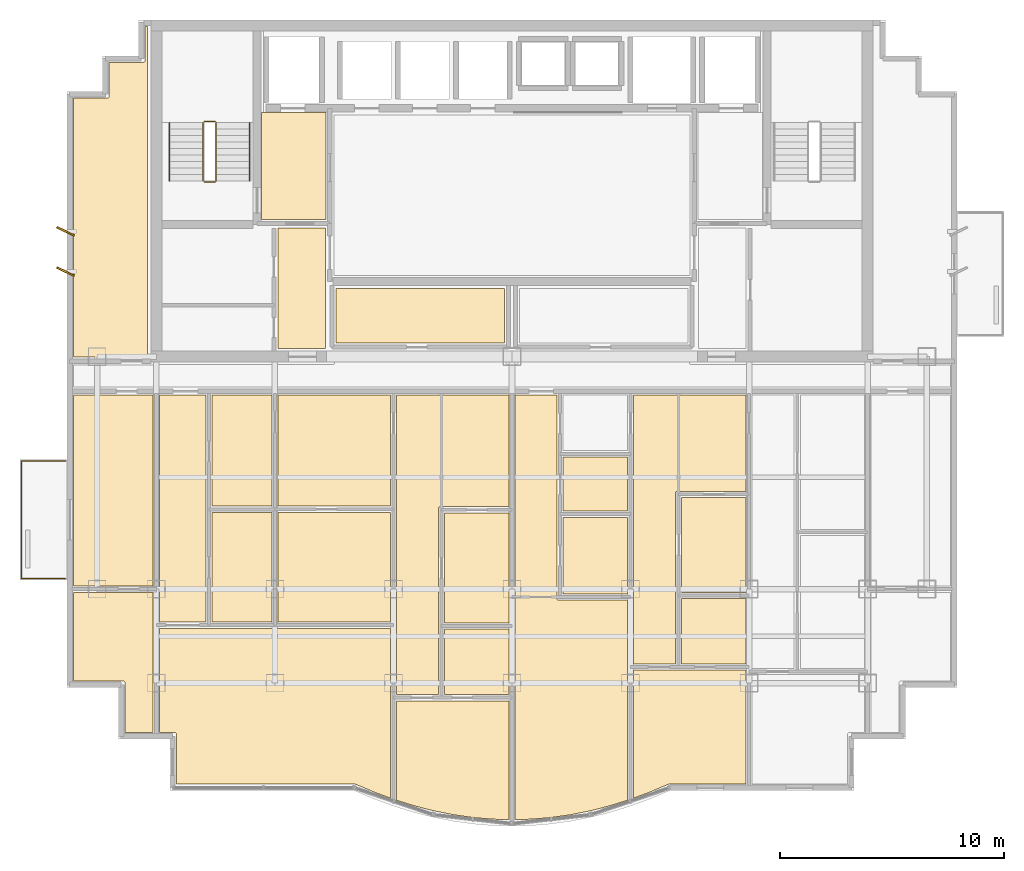
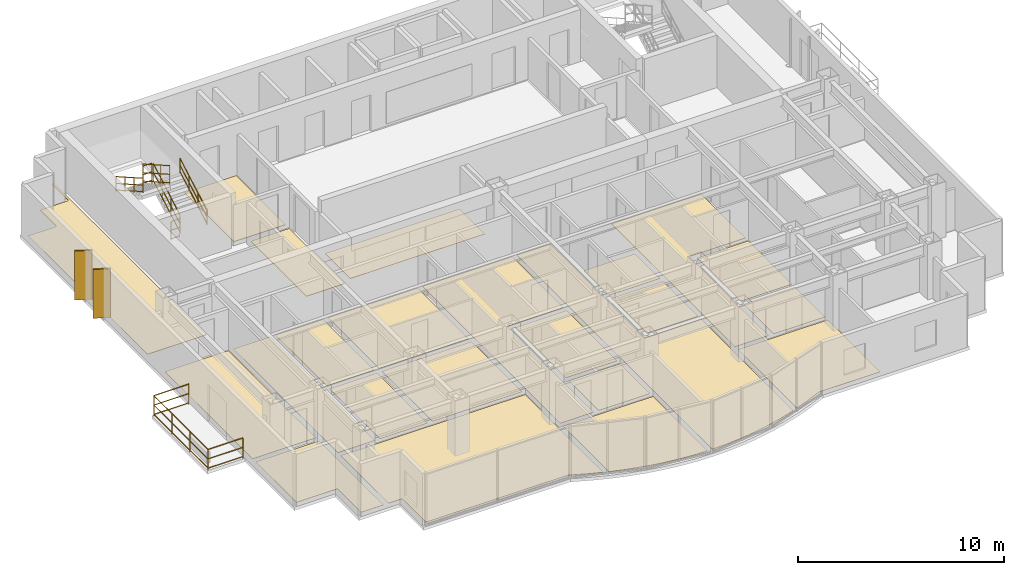
# One storey, part 8 of 9: 23 coverings, 7 railings, 2 shading devices.
"""IFC4 building model written with IfcOpenShell, lengths in metres."""

import ifcopenshell
import ifcopenshell.guid

model = None  # the IFC model being written
_history = None  # IfcOwnerHistory: only IFC2X3 demands one
_inside = {}  # id of a spatial element -> (the spatial element, [elements in it])
_under = {}  # id of a project, library or spatial element -> (it, [spatial elements below it])
_declared = {}  # id of a project -> (the project, [libraries it declares])
_typed = {}  # id of a type object -> (the type object, [elements of that type])
_made_of = {}  # id of a material, layer set ... -> (it, [elements and type objects made of it])


def new_model(schema):
    """Start an empty IFC model of exactly this schema.

    Asked for "IFC4X3", IfcOpenShell would pick the latest addendum, in which some entities
    have other attributes; the version numbers below select the first issue.
    IFC2X3 requires an IfcOwnerHistory on every rooted entity: one is made here for all.
    """
    global model, _history
    if schema == "IFC4X3":
        model = ifcopenshell.file(schema_version=(4, 3, 0, 0))
    else:
        model = ifcopenshell.file(schema=schema)
    _inside.clear()
    _under.clear()
    _declared.clear()
    _typed.clear()
    _made_of.clear()
    _history = None
    if model.schema == "IFC2X3":
        org = make("IfcOrganization", Name="unknown")
        user = make(
            "IfcPersonAndOrganization",
            ThePerson=make("IfcPerson", FamilyName="unknown"),
            TheOrganization=org,
        )
        app = make(
            "IfcApplication",
            ApplicationDeveloper=org,
            Version="unknown",
            ApplicationFullName="unknown",
            ApplicationIdentifier="unknown",
        )
        _history = make(
            "IfcOwnerHistory",
            OwningUser=user,
            OwningApplication=app,
            ChangeAction="ADDED",
            CreationDate=0,
        )
    return model


def make(cls, **values):
    """One entity of the class cls with the attributes given. An attribute that is None is left unset."""
    return model.create_entity(
        cls, **{name: value for name, value in values.items() if value is not None}
    )


def rooted(cls, **values):
    """An entity with a GlobalId (a new one), such as an element, a storey or a relation."""
    return make(cls, GlobalId=ifcopenshell.guid.new(), OwnerHistory=_history, **values)


def si_unit(unit_type, name, prefix=None):
    """IfcSIUnit, for example si_unit("LENGTHUNIT", "METRE", prefix="MILLI")."""
    return make("IfcSIUnit", UnitType=unit_type, Prefix=prefix, Name=name)


def assignment(units):
    """IfcUnitAssignment: the units of a project."""
    return None if units is None else make("IfcUnitAssignment", Units=units)


def point(xyz):
    """IfcCartesianPoint."""
    return None if xyz is None else make("IfcCartesianPoint", Coordinates=xyz)


def direction(xyz):
    """IfcDirection."""
    return None if xyz is None else make("IfcDirection", DirectionRatios=xyz)


def frame(location, z_axis=None, x_axis=None):
    """IfcAxis2Placement3D, a coordinate frame: its origin and axes. An axis left out is left unset."""
    return make(
        "IfcAxis2Placement3D",
        Location=point(location),
        Axis=direction(z_axis),
        RefDirection=direction(x_axis),
    )


def frame_2d(location, x_axis=None):
    """IfcAxis2Placement2D, a coordinate frame in the plane: its origin and x axis."""
    return make(
        "IfcAxis2Placement2D", Location=point(location), RefDirection=direction(x_axis)
    )


def origin():
    """The frame at (0, 0, 0) with its axes left unset."""
    return frame((0.0, 0.0, 0.0))


def origin_2d():
    """The frame at (0, 0) in the plane with its x axis left unset."""
    return frame_2d((0.0, 0.0))


def place(relative_to, where):
    """IfcLocalPlacement: puts the frame where relative to a parent placement (None: the world)."""
    return make(
        "IfcLocalPlacement", PlacementRelTo=relative_to, RelativePlacement=where
    )


def context(
    kind, dimensions, precision=None, world=None, true_north=None, identifier=None
):
    """IfcGeometricRepresentationContext, for example the 3D "Model" context."""
    return make(
        "IfcGeometricRepresentationContext",
        ContextIdentifier=identifier,
        ContextType=kind,
        CoordinateSpaceDimension=dimensions,
        Precision=precision,
        WorldCoordinateSystem=world,
        TrueNorth=true_north,
    )


def subcontext(parent, identifier, kind, view, scale=None):
    """IfcGeometricRepresentationSubContext, for example "Body" below "Model"."""
    return make(
        "IfcGeometricRepresentationSubContext",
        ContextIdentifier=identifier,
        ContextType=kind,
        ParentContext=parent,
        TargetScale=scale,
        TargetView=view,
    )


def project(units=None, contexts=None):
    """IfcProject with its units and contexts."""
    return rooted(
        "IfcProject",
        Name="project",
        RepresentationContexts=contexts,
        UnitsInContext=assignment(units),
    )


def spatial(cls, under=None, at=None, **own):
    """A site, building, storey or space (cls), placed at a placement, below another one or the project."""
    s = rooted(cls, ObjectPlacement=at, **own)
    if under is not None:
        _under.setdefault(under.id(), (under, []))[1].append(s)
    return s


def polyline(points):
    """IfcPolyline through the points."""
    return make("IfcPolyline", Points=[point(p) for p in points])


def profile(cls, at=None, kind="AREA", **sizes):
    """A parametric profile (cls). Its sizes go by their IFC names, for example OverallWidth=200.0."""
    return make(cls, ProfileType=kind, Position=at, **sizes)


def rectangle(**sizes):
    """IfcRectangleProfileDef."""
    return profile("IfcRectangleProfileDef", **sizes)


def circle(**sizes):
    """IfcCircleProfileDef."""
    return profile("IfcCircleProfileDef", **sizes)


def outline(outer, holes=None, kind="AREA"):
    """IfcArbitraryClosedProfileDef: a profile drawn as a closed curve; with holes, ...WithVoids."""
    if holes is None:
        return make("IfcArbitraryClosedProfileDef", ProfileType=kind, OuterCurve=outer)
    return make(
        "IfcArbitraryProfileDefWithVoids",
        ProfileType=kind,
        OuterCurve=outer,
        InnerCurves=holes,
    )


def extrude(swept, where, along, depth):
    """IfcExtrudedAreaSolid: the profile swept, set in the frame where, extruded along a direction by depth."""
    return make(
        "IfcExtrudedAreaSolid",
        SweptArea=swept,
        Position=where,
        ExtrudedDirection=direction(along),
        Depth=depth,
    )


def shape(context_of_items, identifier, shape_type, items):
    """IfcShapeRepresentation: the items that make up one representation, for example the "Body"."""
    return make(
        "IfcShapeRepresentation",
        ContextOfItems=context_of_items,
        RepresentationIdentifier=identifier,
        RepresentationType=shape_type,
        Items=items,
    )


def source(mapping_origin, context_of_items, identifier, shape_type, items):
    """IfcRepresentationMap: a shape defined once, which mapped items show again and again."""
    return make(
        "IfcRepresentationMap",
        MappingOrigin=mapping_origin,
        MappedRepresentation=shape(context_of_items, identifier, shape_type, items),
    )


def transform(
    local_origin,
    x_axis=None,
    y_axis=None,
    z_axis=None,
    scale=None,
    scale2=None,
    scale3=None,
    uniform=True,
):
    """IfcCartesianTransformationOperator3D, or its non-uniform kind. x_axis, y_axis, z_axis: its Axis1, 2, 3."""
    if uniform:
        return make(
            "IfcCartesianTransformationOperator3D",
            Axis1=direction(x_axis),
            Axis2=direction(y_axis),
            LocalOrigin=point(local_origin),
            Scale=scale,
            Axis3=direction(z_axis),
        )
    return make(
        "IfcCartesianTransformationOperator3DnonUniform",
        Axis1=direction(x_axis),
        Axis2=direction(y_axis),
        LocalOrigin=point(local_origin),
        Scale=scale,
        Axis3=direction(z_axis),
        Scale2=scale2,
        Scale3=scale3,
    )


def mapped(mapping_source, mapping_target):
    """IfcMappedItem: shows the shape of a source again, moved by a transform."""
    return make(
        "IfcMappedItem", MappingSource=mapping_source, MappingTarget=mapping_target
    )


def material(Name=None, Category=None):
    """IfcMaterial."""
    return make("IfcMaterial", Name=Name, Category=Category)


def layer(
    of_material, thickness, ventilated=None, Name=None, Category=None, Priority=None
):
    """IfcMaterialLayer: one layer of a wall or slab, of a material (None: an air gap)."""
    return make(
        "IfcMaterialLayer",
        Material=of_material,
        LayerThickness=thickness,
        IsVentilated=ventilated,
        Name=Name,
        Category=Category,
        Priority=Priority,
    )


def layer_set(layers, Name=None):
    """IfcMaterialLayerSet."""
    return make("IfcMaterialLayerSet", MaterialLayers=layers, LayerSetName=Name)


def made_of(thing, what):
    """Note that an element or type object is made of a material, layer set ...; save() writes the relation."""
    if what is not None:
        _made_of.setdefault(what.id(), (what, []))[1].append(thing)
    return thing


def type_object(cls, material=None, **own):
    """A type object (cls), such as IfcWallType, which elements share."""
    return made_of(rooted(cls, **own), material)


def element(
    cls,
    number,
    at=None,
    inside=None,
    cuts=None,
    type_object=None,
    material=None,
    context=None,
    identifier="Body",
    shape_type=None,
    held_by="IfcProductDefinitionShape",
    body=None,
    shapes=None,
    **own,
):
    """One element of the class cls, such as IfcWall. Its Tag is "e" and its number.

    at: its placement. inside: the storey or other place that contains it. cuts: it is an
    opening in that element (IfcRelVoidsElement). A single representation is given by context,
    identifier, shape_type and body (its items); several are given by shapes. held_by: the class
    of the entity that holds the representations. save() writes the other relations.
    """
    e = rooted(cls, Tag="e%d" % number, ObjectPlacement=at, **own)
    if body is not None:
        shapes = [shape(context, identifier, shape_type, body)]
    if shapes is not None:
        e.Representation = make(held_by, Representations=shapes)
    if inside is not None:
        _inside.setdefault(inside.id(), (inside, []))[1].append(e)
    if cuts is not None:
        rooted(
            "IfcRelVoidsElement", RelatingBuildingElement=cuts, RelatedOpeningElement=e
        )
    if type_object is not None:
        _typed.setdefault(type_object.id(), (type_object, []))[1].append(e)
    return made_of(e, material)


def aggregate(whole, parts):
    """IfcRelAggregates: a whole, such as a stair, and the parts it consists of."""
    return rooted("IfcRelAggregates", RelatingObject=whole, RelatedObjects=parts)


def save(model, path):
    """Write the relations noted so far, then the file.

    IfcRelAggregates (storeys below a building ...), IfcRelContainedInSpatialStructure (elements
    in a storey), IfcRelDefinesByType, IfcRelAssociatesMaterial and IfcRelDeclares: one each for
    every whole, place, type object, material and project.
    """
    for whole, parts in _under.values():
        aggregate(whole, parts)
    for where, things in _inside.values():
        rooted(
            "IfcRelContainedInSpatialStructure",
            RelatedElements=things,
            RelatingStructure=where,
        )
    for kind, things in _typed.values():
        rooted("IfcRelDefinesByType", RelatedObjects=things, RelatingType=kind)
    for what, things in _made_of.values():
        rooted("IfcRelAssociatesMaterial", RelatedObjects=things, RelatingMaterial=what)
    for by, libraries in _declared.values():
        rooted("IfcRelDeclares", RelatingContext=by, RelatedDefinitions=libraries)
    model.write(path)


model = new_model("IFC4")

# Units and contexts
model_context = context("Model", 3, precision=1e-05, world=origin(), true_north=direction((0.0, 1.0)))
body_context = subcontext(model_context, "Body", "Model", "MODEL_VIEW")
ifc_project = project(units=[si_unit("LENGTHUNIT", "METRE"), si_unit("AREAUNIT", "SQUARE_METRE"), si_unit("VOLUMEUNIT", "CUBIC_METRE"), si_unit("PLANEANGLEUNIT", "RADIAN"), si_unit("MASSUNIT", "GRAM", prefix="KILO")], contexts=[model_context])

# Site, building, storey
site_placement = place(None, origin())
site = spatial("IfcSite", under=ifc_project, at=site_placement, CompositionType="ELEMENT")
building_placement = place(site_placement, origin())
building = spatial("IfcBuilding", under=site, at=building_placement, Name="Qianlan Lanfeng Residences", CompositionType="ELEMENT")
storey_placement = place(building_placement, frame((0.0, 0.0, 209.89990234375)))
storey = spatial("IfcBuildingStorey", under=building, at=storey_placement, Name="L57", CompositionType="ELEMENT", Elevation=209.89990234375)

# Coverings
ifc_material_1 = material(Name="Honed Taitung Granite Stone Flooring", Category="masonry")
ifc_layer_1 = layer(ifc_material_1, 0.030029296875)
ifc_layer_set_1 = layer_set([ifc_layer_1], Name="Honed Taitung Granite Stone Flooring")
covering_type_1 = type_object("IfcCoveringType", Name="FLR-STN-30", PredefinedType="FLOORING", material=ifc_layer_set_1)
covering_1_placement = place(storey_placement, origin())
element("IfcCovering", 1, at=covering_1_placement, inside=storey, type_object=covering_type_1, Name="L57 Firefighting Lift Lobby Floor Finish", PredefinedType="FLOORING", context=body_context, shape_type="SweptSolid", body=[
    extrude(outline(polyline([(15.2900390625, 31.320068359375), (18.179931640625, 31.320068359375), (18.179931640625, 36.110107421875), (15.2900390625, 36.110107421875), (15.2900390625, 31.320068359375)])), origin(), (0.0, 0.0, 1.0), 0.030029296875),
])
covering_2_placement = place(storey_placement, origin())
element("IfcCovering", 2, at=covering_2_placement, inside=storey, type_object=covering_type_1, Name="L57 Lift Lobby Floor Finish", PredefinedType="FLOORING", context=body_context, shape_type="SweptSolid", body=[
    extrude(outline(polyline([(16.030029296875, 25.56005859375), (18.169921875, 25.56005859375), (18.169921875, 30.949951171875), (16.030029296875, 30.949951171875), (16.030029296875, 25.56005859375)])), origin(), (0.0, 0.0, 1.0), 0.030029296875),
])
ifc_material_2 = material(Name="Slip-Resistant Porcelain Tile Flooring")
ifc_layer_2 = layer(ifc_material_2, 0.02001953125)
ifc_layer_set_2 = layer_set([ifc_layer_2], Name="Slip-Resistant Porcelain Tile Flooring")
covering_type_2 = type_object("IfcCoveringType", Name="FLR-TIL-20", PredefinedType="FLOORING", material=ifc_layer_set_2)
covering_3_placement = place(storey_placement, origin())
element("IfcCovering", 3, at=covering_3_placement, inside=storey, type_object=covering_type_2, Name="L57 Kitchen Floor Finish", PredefinedType="FLOORING", context=body_context, shape_type="SweptSolid", body=[
    extrude(outline(polyline([(13.090087890625, 13.330078125), (15.760009765625, 13.330078125), (15.760009765625, 18.22998046875), (13.090087890625, 18.22998046875), (13.090087890625, 13.330078125)])), origin(), (0.0, 0.0, 1.0), 0.02001953125),
])
covering_4_placement = place(storey_placement, origin())
element("IfcCovering", 4, at=covering_4_placement, inside=storey, type_object=covering_type_2, Name="L57 Bathroom Floor Finish", PredefinedType="FLOORING", context=body_context, shape_type="SweptSolid", body=[
    extrude(outline(polyline([(13.090087890625, 18.510009765625), (15.760009765625, 18.510009765625), (15.760009765625, 23.47998046875), (13.090087890625, 23.47998046875), (13.090087890625, 18.510009765625)])), origin(), (0.0, 0.0, 1.0), 0.02001953125),
])
covering_5_placement = place(storey_placement, origin())
element("IfcCovering", 5, at=covering_5_placement, inside=storey, type_object=covering_type_2, Name="L57 En-Suite Bathroom Floor Finish", PredefinedType="FLOORING", context=body_context, shape_type="SweptSolid", body=[
    extrude(outline(polyline([(23.489990234375, 10.087890625), (26.3701171875, 10.087890625), (26.3701171875, 13.008056640625), (23.489990234375, 13.008056640625), (23.489990234375, 10.087890625)])), origin(), (0.0, 0.0, 1.0), 0.02001953125),
])
covering_6_placement = place(storey_placement, origin())
element("IfcCovering", 6, at=covering_6_placement, inside=storey, type_object=covering_type_2, Name="L57 Kitchen Floor Finish", PredefinedType="FLOORING", context=body_context, shape_type="SweptSolid", body=[
    extrude(outline(polyline([(28.7900390625, 18.2900390625), (31.659912109375, 18.2900390625), (31.659912109375, 20.7099609375), (28.7900390625, 20.7099609375), (28.7900390625, 18.2900390625)])), origin(), (0.0, 0.0, 1.0), 0.02001953125),
])
covering_7_placement = place(storey_placement, origin())
element("IfcCovering", 7, at=covering_7_placement, inside=storey, type_object=covering_type_2, Name="L57 En-Suite Bathroom Floor Finish", PredefinedType="FLOORING", context=body_context, shape_type="SweptSolid", body=[
    extrude(outline(polyline([(34.090087890625, 11.4599609375), (36.969970703125, 11.4599609375), (36.969970703125, 14.3798828125), (34.090087890625, 14.3798828125), (34.090087890625, 11.4599609375)])), origin(), (0.0, 0.0, 1.0), 0.02001953125),
])
ifc_material_3 = material(Name="Engineered Smoked Oak Timber Flooring", Category="wood")
ifc_layer_3 = layer(ifc_material_3, 0.02197265625)
ifc_layer_set_3 = layer_set([ifc_layer_3], Name="Engineered Smoked Oak Timber Flooring")
covering_type_3 = type_object("IfcCoveringType", Name="FLR-TIM-22", PredefinedType="FLOORING", material=ifc_layer_set_3)
covering_8_placement = place(storey_placement, origin())
element("IfcCovering", 8, at=covering_8_placement, inside=storey, type_object=covering_type_3, Name="L57 Gallery Salon Floor Finish", PredefinedType="FLOORING", context=body_context, shape_type="SweptSolid", body=[
    extrude(outline(polyline([(18.6298828125, 25.800048828125), (26.169921875, 25.800048828125), (26.169921875, 28.2548828125), (18.6298828125, 28.2548828125), (18.6298828125, 25.800048828125)])), origin(), (0.0, 0.0, 1.0), 0.022216796875),
])
covering_9_placement = place(storey_placement, origin())
element("IfcCovering", 9, at=covering_9_placement, inside=storey, type_object=covering_type_3, Name="L57 Living and Dining Room Floor Finish", PredefinedType="FLOORING", context=body_context, shape_type="SweptSolid", body=[
    extrude(outline(polyline([(10.72998046875, 13.050048828125), (10.72998046875, 8.389892578125), (11.419921875, 8.389892578125), (11.427001953125, 8.389892578125), (11.43408203125, 8.388916015625), (11.43994140625, 8.386962890625), (11.447021484375, 8.385009765625), (11.452880859375, 8.382080078125), (11.458984375, 8.3779296875), (11.464111328125, 8.3740234375), (11.468994140625, 8.368896484375), (11.47412109375, 8.364013671875), (11.47802734375, 8.35888671875), (11.48193359375, 8.35302734375), (11.485107421875, 8.346923828125), (11.487060546875, 8.340087890625), (11.489013671875, 8.333984375), (11.489990234375, 8.326904296875), (11.489990234375, 8.320068359375), (11.489990234375, 6.090087890625), (19.465087890625, 6.090087890625), (19.471923828125, 6.090087890625), (19.47900390625, 6.089111328125), (19.485107421875, 6.0869140625), (19.491943359375, 6.083984375), (20.412109375, 5.695068359375), (21.070068359375, 5.452880859375), (21.070068359375, 13.050048828125), (10.72998046875, 13.050048828125)])), origin(), (0.0, 0.0, 1.0), 0.022216796875),
])
covering_10_placement = place(storey_placement, origin())
element("IfcCovering", 10, at=covering_10_placement, inside=storey, type_object=covering_type_3, Name="L57 Family Sitting Room Floor Finish", PredefinedType="FLOORING", context=body_context, shape_type="SweptSolid", body=[
    extrude(outline(polyline([(10.72998046875, 13.330078125), (12.81005859375, 13.330078125), (12.81005859375, 23.47998046875), (10.72998046875, 23.47998046875), (10.72998046875, 13.330078125)])), origin(), (0.0, 0.0, 1.0), 0.022216796875),
])
covering_11_placement = place(storey_placement, origin())
element("IfcCovering", 11, at=covering_11_placement, inside=storey, type_object=covering_type_3, Name="L57 Yoga Studio Floor Finish", PredefinedType="FLOORING", context=body_context, shape_type="SweptSolid", body=[
    extrude(outline(polyline([(16.0400390625, 13.330078125), (21.06005859375, 13.330078125), (21.06005859375, 18.22998046875), (16.0400390625, 18.22998046875), (16.0400390625, 13.330078125)])), origin(), (0.0, 0.0, 1.0), 0.022216796875),
])
covering_12_placement = place(storey_placement, origin())
element("IfcCovering", 12, at=covering_12_placement, inside=storey, type_object=covering_type_3, Name="L57 Home Office Floor Finish", PredefinedType="FLOORING", context=body_context, shape_type="SweptSolid", body=[
    extrude(outline(polyline([(16.0400390625, 18.510009765625), (21.06005859375, 18.510009765625), (21.06005859375, 23.47998046875), (16.0400390625, 23.47998046875), (16.0400390625, 18.510009765625)])), origin(), (0.0, 0.0, 1.0), 0.022216796875),
])
covering_13_placement = place(storey_placement, origin())
element("IfcCovering", 13, at=covering_13_placement, inside=storey, type_object=covering_type_3, Name="L57 Private Study Floor Finish", PredefinedType="FLOORING", context=body_context, shape_type="SweptSolid", body=[
    extrude(outline(polyline([(23.489990234375, 13.2880859375), (26.3701171875, 13.2880859375), (26.3701171875, 18.208984375), (23.489990234375, 18.208984375), (23.489990234375, 13.2880859375)])), origin(), (0.0, 0.0, 1.0), 0.022216796875),
])
covering_14_placement = place(storey_placement, origin())
element("IfcCovering", 14, at=covering_14_placement, inside=storey, type_object=covering_type_3, Name="L57 Villa Family Sitting Room Floor Finish", PredefinedType="FLOORING", context=body_context, shape_type="SweptSolid", body=[
    extrude(outline(polyline([(21.330078125, 10.087890625), (23.2099609375, 10.087890625), (23.2099609375, 18.4189453125), (23.2099609375, 18.426025390625), (23.2109375, 18.43310546875), (23.212890625, 18.43896484375), (23.215087890625, 18.446044921875), (23.218017578125, 18.451904296875), (23.221923828125, 18.4580078125), (23.22607421875, 18.462890625), (23.23095703125, 18.468017578125), (23.236083984375, 18.472900390625), (23.240966796875, 18.47705078125), (23.2470703125, 18.48095703125), (23.2529296875, 18.48388671875), (23.260009765625, 18.486083984375), (23.26611328125, 18.488037109375), (23.27294921875, 18.489013671875), (23.280029296875, 18.489013671875), (26.3701171875, 18.489013671875), (26.3701171875, 23.47998046875), (21.330078125, 23.47998046875), (21.330078125, 10.087890625)])), origin(), (0.0, 0.0, 1.0), 0.022216796875),
])
covering_15_placement = place(storey_placement, origin())
element("IfcCovering", 15, at=covering_15_placement, inside=storey, type_object=covering_type_3, Name="L57 Master Bedroom Floor Finish", PredefinedType="FLOORING", context=body_context, shape_type="SweptSolid", body=[
    extrude(outline(polyline([(21.330078125, 9.80810546875), (21.3310546875, 5.360107421875), (22.154052734375, 5.10400390625), (23.02392578125, 4.883056640625), (23.89306640625, 4.7109375), (24.762939453125, 4.587890625), (25.631103515625, 4.514892578125), (26.3701171875, 4.493896484375), (26.3701171875, 9.80810546875), (21.330078125, 9.80810546875)])), origin(), (0.0, 0.0, 1.0), 0.022216796875),
])
covering_16_placement = place(storey_placement, origin())
element("IfcCovering", 16, at=covering_16_placement, inside=storey, type_object=covering_type_3, Name="L57 Living and Dining Room Floor Finish", PredefinedType="FLOORING", context=body_context, shape_type="SweptSolid", body=[
    extrude(outline(polyline([(31.669921875, 5.360107421875), (31.669921875, 14.30810546875), (28.580078125, 14.30810546875), (28.572998046875, 14.30810546875), (28.56591796875, 14.30908203125), (28.56005859375, 14.31103515625), (28.552978515625, 14.31298828125), (28.547119140625, 14.31591796875), (28.541015625, 14.320068359375), (28.535888671875, 14.323974609375), (28.531005859375, 14.3291015625), (28.52587890625, 14.333984375), (28.52197265625, 14.339111328125), (28.51806640625, 14.344970703125), (28.514892578125, 14.35107421875), (28.512939453125, 14.35791015625), (28.510986328125, 14.364013671875), (28.510009765625, 14.37109375), (28.510009765625, 14.3779296875), (28.510009765625, 23.47998046875), (26.6298828125, 23.47998046875), (26.6298828125, 4.493896484375), (27.368896484375, 4.514892578125), (28.237060546875, 4.587890625), (29.10693359375, 4.7109375), (29.97607421875, 4.883056640625), (30.845947265625, 5.10400390625), (31.669921875, 5.360107421875)])), origin(), (0.0, 0.0, 1.0), 0.022216796875),
])
covering_17_placement = place(storey_placement, origin())
element("IfcCovering", 17, at=covering_17_placement, inside=storey, type_object=covering_type_3, Name="L57 Private Study Floor Finish", PredefinedType="FLOORING", context=body_context, shape_type="SweptSolid", body=[
    extrude(outline(polyline([(28.7900390625, 18.010009765625), (28.7900390625, 14.587890625), (31.669921875, 14.587890625), (31.669921875, 18.010009765625), (28.7900390625, 18.010009765625)])), origin(), (0.0, 0.0, 1.0), 0.022216796875),
])
covering_18_placement = place(storey_placement, origin())
element("IfcCovering", 18, at=covering_18_placement, inside=storey, type_object=covering_type_3, Name="L57 Private Study Floor Finish", PredefinedType="FLOORING", context=body_context, shape_type="SweptSolid", body=[
    extrude(outline(polyline([(34.090087890625, 14.659912109375), (36.969970703125, 14.659912109375), (36.969970703125, 18.89501953125), (34.090087890625, 18.89501953125), (34.090087890625, 14.659912109375)])), origin(), (0.0, 0.0, 1.0), 0.022216796875),
])
covering_19_placement = place(storey_placement, origin())
element("IfcCovering", 19, at=covering_19_placement, inside=storey, type_object=covering_type_3, Name="L57 Villa Family Sitting Room Floor Finish", PredefinedType="FLOORING", context=body_context, shape_type="SweptSolid", body=[
    extrude(outline(polyline([(31.929931640625, 11.4599609375), (33.81005859375, 11.4599609375), (33.81005859375, 19.10498046875), (33.81005859375, 19.112060546875), (33.81103515625, 19.118896484375), (33.81298828125, 19.125), (33.81494140625, 19.132080078125), (33.818115234375, 19.137939453125), (33.822021484375, 19.14404296875), (33.825927734375, 19.14892578125), (33.8310546875, 19.154052734375), (33.8359375, 19.158935546875), (33.841064453125, 19.1630859375), (33.846923828125, 19.1669921875), (33.85302734375, 19.169921875), (33.860107421875, 19.172119140625), (33.865966796875, 19.174072265625), (33.873046875, 19.175048828125), (33.8798828125, 19.175048828125), (36.969970703125, 19.175048828125), (36.969970703125, 23.47998046875), (31.929931640625, 23.47998046875), (31.929931640625, 11.4599609375)])), origin(), (0.0, 0.0, 1.0), 0.022216796875),
])
covering_20_placement = place(storey_placement, origin())
element("IfcCovering", 20, at=covering_20_placement, inside=storey, type_object=covering_type_3, Name="L57 Master Bedroom Floor Finish", PredefinedType="FLOORING", context=body_context, shape_type="SweptSolid", body=[
    extrude(outline(polyline([(31.929931640625, 11.179931640625), (31.929931640625, 5.452880859375), (32.587890625, 5.695068359375), (33.508056640625, 6.083984375), (33.514892578125, 6.0869140625), (33.52099609375, 6.089111328125), (33.528076171875, 6.090087890625), (33.534912109375, 6.090087890625), (36.969970703125, 6.090087890625), (36.969970703125, 11.179931640625), (31.929931640625, 11.179931640625)])), origin(), (0.0, 0.0, 1.0), 0.022216796875),
])
covering_21_placement = place(storey_placement, origin())
element("IfcCovering", 21, at=covering_21_placement, inside=storey, type_object=covering_type_3, Name="L57 Sunroom Floor Finish", PredefinedType="FLOORING", context=body_context, shape_type="SweptSolid", body=[
    extrude(outline(polyline([(10.43994140625, 14.64990234375), (6.889892578125, 14.64990234375), (6.889892578125, 10.68994140625), (9.1201171875, 10.68994140625), (9.126953125, 10.68994140625), (9.134033203125, 10.68896484375), (9.139892578125, 10.68701171875), (9.14697265625, 10.68505859375), (9.153076171875, 10.681884765625), (9.158935546875, 10.677978515625), (9.1640625, 10.674072265625), (9.1689453125, 10.6689453125), (9.174072265625, 10.6640625), (9.177978515625, 10.658935546875), (9.181884765625, 10.653076171875), (9.18505859375, 10.64697265625), (9.18701171875, 10.639892578125), (9.18896484375, 10.634033203125), (9.18994140625, 10.626953125), (9.18994140625, 10.6201171875), (9.18994140625, 8.389892578125), (10.43994140625, 8.389892578125), (10.43994140625, 14.64990234375)])), origin(), (0.0, 0.0, 1.0), 0.022216796875),
])
covering_22_placement = place(storey_placement, origin())
element("IfcCovering", 22, at=covering_22_placement, inside=storey, type_object=covering_type_3, Name="L57 Family Sitting Room Floor Finish", PredefinedType="FLOORING", context=body_context, shape_type="SweptSolid", body=[
    extrude(outline(polyline([(10.43994140625, 23.47998046875), (6.889892578125, 23.47998046875), (6.889892578125, 14.949951171875), (10.43994140625, 14.949951171875), (10.43994140625, 23.47998046875)])), origin(), (0.0, 0.0, 1.0), 0.022216796875),
])
covering_23_placement = place(storey_placement, origin())
element("IfcCovering", 23, at=covering_23_placement, inside=storey, type_object=covering_type_3, Name="L57 Yoga Studio Floor Finish", PredefinedType="FLOORING", context=body_context, shape_type="SweptSolid", body=[
    extrude(outline(polyline([(10.199951171875, 25.169921875), (10.199951171875, 39.9599609375), (10.090087890625, 39.9599609375), (10.090087890625, 38.429931640625), (10.090087890625, 38.423095703125), (10.089111328125, 38.416015625), (10.0869140625, 38.409912109375), (10.0849609375, 38.403076171875), (10.08203125, 38.39697265625), (10.077880859375, 38.39111328125), (10.073974609375, 38.385986328125), (10.069091796875, 38.381103515625), (10.06396484375, 38.3759765625), (10.05908203125, 38.3720703125), (10.052978515625, 38.367919921875), (10.047119140625, 38.364990234375), (10.0400390625, 38.363037109375), (10.033935546875, 38.361083984375), (10.027099609375, 38.360107421875), (10.02001953125, 38.360107421875), (8.489990234375, 38.360107421875), (8.489990234375, 36.830078125), (8.489990234375, 36.822998046875), (8.489013671875, 36.81591796875), (8.487060546875, 36.81005859375), (8.485107421875, 36.802978515625), (8.48193359375, 36.797119140625), (8.47802734375, 36.791015625), (8.47412109375, 36.785888671875), (8.468994140625, 36.781005859375), (8.464111328125, 36.77587890625), (8.458984375, 36.77197265625), (8.452880859375, 36.76806640625), (8.447021484375, 36.764892578125), (8.43994140625, 36.762939453125), (8.43408203125, 36.760986328125), (8.427001953125, 36.760009765625), (8.419921875, 36.760009765625), (6.889892578125, 36.760009765625), (6.889892578125, 25.169921875), (10.199951171875, 25.169921875)])), origin(), (0.0, 0.0, 1.0), 0.022216796875),
])

# Railings
ifc_material_4 = material(Name="Anodised Bronze Aluminium and Laminated Glass Guard Balustrade", Category="aluminium")
railing_type_1 = type_object("IfcRailingType", Name="GR-EXT-1220", PredefinedType="BALUSTRADE", material=ifc_material_4)
railing_1_placement = place(storey_placement, frame((6.530029296875, 15.27001953125, 0.0)))
element("IfcRailing", 24, at=railing_1_placement, inside=storey, type_object=railing_type_1, Name="L57 Terrace Safety Guard GR-L57-WB-S", PredefinedType="BALUSTRADE", context=body_context, shape_type="SweptSolid", body=[
    extrude(circle(Radius=0.02490234375, at=origin_2d()), frame((0.0, 0.0, 0.0849609375), z_axis=(-1.0, 0.0, 0.0), x_axis=(0.0, -1.0, 0.0)), (0.0, 0.0, 1.0), 1.9599609375),
    extrude(circle(Radius=0.02490234375, at=origin_2d()), frame((0.0, 0.0, 0.63427734375), z_axis=(-1.0, 0.0, 0.0), x_axis=(0.0, -1.0, 0.0)), (0.0, 0.0, 1.0), 1.9599609375),
    extrude(circle(Radius=0.02490234375, at=origin_2d()), frame((0.0, 0.0, 1.19482421875), z_axis=(-1.0, 0.0, 0.0), x_axis=(0.0, -1.0, 0.0)), (0.0, 0.0, 1.0), 1.9599609375),
    extrude(circle(Radius=0.02490234375, at=origin_2d()), frame((-1.9599609375, 0.0, 0.0849609375), z_axis=(0.0, 1.0, 0.0), x_axis=(-1.0, 0.0, 0.0)), (0.0, 0.0, 1.0), 5.260009765625),
    extrude(circle(Radius=0.02490234375, at=origin_2d()), frame((-1.9599609375, 0.0, 0.63427734375), z_axis=(0.0, 1.0, 0.0), x_axis=(-1.0, 0.0, 0.0)), (0.0, 0.0, 1.0), 5.260009765625),
    extrude(circle(Radius=0.02490234375, at=origin_2d()), frame((-1.9599609375, 0.0, 1.19482421875), z_axis=(0.0, 1.0, 0.0), x_axis=(-1.0, 0.0, 0.0)), (0.0, 0.0, 1.0), 5.260009765625),
    extrude(circle(Radius=0.02490234375, at=origin_2d()), frame((-1.9599609375, 5.260009765625, 0.0849609375), z_axis=(1.0, 0.0, 0.0), x_axis=(0.0, 1.0, 0.0)), (0.0, 0.0, 1.0), 1.9599609375),
    extrude(circle(Radius=0.02490234375, at=origin_2d()), frame((-1.9599609375, 5.260009765625, 0.63427734375), z_axis=(1.0, 0.0, 0.0), x_axis=(0.0, 1.0, 0.0)), (0.0, 0.0, 1.0), 1.9599609375),
    extrude(circle(Radius=0.02490234375, at=origin_2d()), frame((-1.9599609375, 5.260009765625, 1.19482421875), z_axis=(1.0, 0.0, 0.0), x_axis=(0.0, 1.0, 0.0)), (0.0, 0.0, 1.0), 1.9599609375),
    extrude(circle(Radius=0.02099609375, at=origin_2d()), origin(), (0.0, 0.0, 1.0), 1.169921875),
    extrude(circle(Radius=0.02099609375, at=origin_2d()), frame((-1.9599609375, 0.0, 0.0)), (0.0, 0.0, 1.0), 1.169921875),
    extrude(circle(Radius=0.02099609375, at=origin_2d()), frame((-1.9599609375, 1.75341796875, 0.0)), (0.0, 0.0, 1.0), 1.169921875),
    extrude(circle(Radius=0.02099609375, at=origin_2d()), frame((-1.9599609375, 3.506591796875, 0.0)), (0.0, 0.0, 1.0), 1.169921875),
    extrude(circle(Radius=0.02099609375, at=origin_2d()), frame((-1.9599609375, 5.260009765625, 0.0)), (0.0, 0.0, 1.0), 1.169921875),
    extrude(circle(Radius=0.02099609375, at=origin_2d()), frame((0.0, 5.260009765625, 0.0)), (0.0, 0.0, 1.0), 1.169921875),
])
ifc_material_5 = material(Name="Painted Galvanised Steel Guardrail", Category="steel")
railing_type_2 = type_object("IfcRailingType", Name="GR-ST-1120", PredefinedType="GUARDRAIL", material=ifc_material_5)
railing_2_placement = place(storey_placement, frame((13.27001953125, 33.050048828125, 0.1650390625)))
element("IfcRailing", 25, at=railing_2_placement, inside=storey, type_object=railing_type_2, Name="L57 ST-1 stair guard 1", PredefinedType="GUARDRAIL", context=body_context, shape_type="SweptSolid", body=[
    extrude(circle(Radius=0.02392578125, at=origin_2d()), frame((0.0, 0.0, 0.083984375), z_axis=(0.0, 0.869137319866, 0.494570843475), x_axis=(-1.0, 0.0, 0.0)), (0.0, 0.0, 1.0), 3.0029296875),
    extrude(circle(Radius=0.02392578125, at=origin_2d()), frame((0.0, 0.0, 0.58251953125), z_axis=(0.0, 0.869137319866, 0.494570843475), x_axis=(-1.0, 0.0, 0.0)), (0.0, 0.0, 1.0), 3.0029296875),
    extrude(circle(Radius=0.02392578125, at=origin_2d()), frame((0.0, 0.0, 1.09619140625), z_axis=(0.0, 0.869137319866, 0.494570843475), x_axis=(-1.0, 0.0, 0.0)), (0.0, 0.0, 1.0), 3.0029296875),
    extrude(circle(Radius=0.02099609375, at=origin_2d()), origin(), (0.0, 0.0, 1.0), 1.072021484375),
    extrude(circle(Radius=0.02099609375, at=origin_2d()), frame((0.0, 0.869873046875, 0.4951171875)), (0.0, 0.0, 1.0), 1.072021484375),
    extrude(circle(Radius=0.02099609375, at=origin_2d()), frame((0.0, 1.739990234375, 0.989990234375)), (0.0, 0.0, 1.0), 1.072021484375),
    extrude(circle(Radius=0.02099609375, at=origin_2d()), frame((0.0, 2.60986328125, 1.485107421875)), (0.0, 0.0, 1.0), 1.072021484375),
])
railing_3_placement = place(storey_placement, frame((13.219970703125, 35.7099609375, 1.650146484375)))
element("IfcRailing", 26, at=railing_3_placement, inside=storey, type_object=railing_type_2, Name="L57 ST-1 stair guard 2", PredefinedType="GUARDRAIL", context=body_context, shape_type="SweptSolid", body=[
    extrude(circle(Radius=0.02392578125, at=origin_2d()), frame((0.0, 0.0, 0.083984375), z_axis=(-1.0, 0.0, 0.0), x_axis=(0.0, -1.0, 0.0)), (0.0, 0.0, 1.0), 0.47998046875),
    extrude(circle(Radius=0.02392578125, at=origin_2d()), frame((0.0, 0.0, 0.58251953125), z_axis=(-1.0, 0.0, 0.0), x_axis=(0.0, -1.0, 0.0)), (0.0, 0.0, 1.0), 0.47998046875),
    extrude(circle(Radius=0.02392578125, at=origin_2d()), frame((0.0, 0.0, 1.09619140625), z_axis=(-1.0, 0.0, 0.0), x_axis=(0.0, -1.0, 0.0)), (0.0, 0.0, 1.0), 0.47998046875),
    extrude(circle(Radius=0.02099609375, at=origin_2d()), origin(), (0.0, 0.0, 1.0), 1.072021484375),
    extrude(circle(Radius=0.02099609375, at=origin_2d()), frame((-0.47998046875, 0.0, 0.0)), (0.0, 0.0, 1.0), 1.072021484375),
])
railing_4_placement = place(storey_placement, frame((12.68994140625, 35.659912109375, 1.815185546875)))
element("IfcRailing", 27, at=railing_4_placement, inside=storey, type_object=railing_type_2, Name="L57 ST-1 stair guard 3", PredefinedType="GUARDRAIL", context=body_context, shape_type="SweptSolid", body=[
    extrude(circle(Radius=0.02392578125, at=origin_2d()), frame((0.0, 0.0, 0.083984375), z_axis=(0.0, -0.869172267526, 0.494509422927), x_axis=(1.0, 0.0, 0.0)), (0.0, 0.0, 1.0), 3.002685546875),
    extrude(circle(Radius=0.02392578125, at=origin_2d()), frame((0.0, 0.0, 0.58251953125), z_axis=(0.0, -0.869172267526, 0.494509422927), x_axis=(1.0, 0.0, 0.0)), (0.0, 0.0, 1.0), 3.002685546875),
    extrude(circle(Radius=0.02392578125, at=origin_2d()), frame((0.0, 0.0, 1.09619140625), z_axis=(0.0, -0.869172267526, 0.494509422927), x_axis=(1.0, 0.0, 0.0)), (0.0, 0.0, 1.0), 3.002685546875),
    extrude(circle(Radius=0.02099609375, at=origin_2d()), origin(), (0.0, 0.0, 1.0), 1.072021484375),
    extrude(circle(Radius=0.02099609375, at=origin_2d()), frame((0.0, -0.869873046875, 0.494873046875)), (0.0, 0.0, 1.0), 1.072021484375),
    extrude(circle(Radius=0.02099609375, at=origin_2d()), frame((0.0, -1.739990234375, 0.989990234375)), (0.0, 0.0, 1.0), 1.072021484375),
    extrude(circle(Radius=0.02099609375, at=origin_2d()), frame((0.0, -2.60986328125, 1.48486328125)), (0.0, 0.0, 1.0), 1.072021484375),
])
railing_5_placement = place(storey_placement, frame((13.219970703125, 33.0, 0.0)))
element("IfcRailing", 28, at=railing_5_placement, inside=storey, type_object=railing_type_2, Name="L57 ST-1 stair guard 4", PredefinedType="GUARDRAIL", context=body_context, shape_type="SweptSolid", body=[
    extrude(circle(Radius=0.02392578125, at=origin_2d()), frame((0.0, 0.0, 0.083984375), z_axis=(-1.0, 0.0, 0.0), x_axis=(0.0, -1.0, 0.0)), (0.0, 0.0, 1.0), 0.47998046875),
    extrude(circle(Radius=0.02392578125, at=origin_2d()), frame((0.0, 0.0, 0.58251953125), z_axis=(-1.0, 0.0, 0.0), x_axis=(0.0, -1.0, 0.0)), (0.0, 0.0, 1.0), 0.47998046875),
    extrude(circle(Radius=0.02392578125, at=origin_2d()), frame((0.0, 0.0, 1.09619140625), z_axis=(-1.0, 0.0, 0.0), x_axis=(0.0, -1.0, 0.0)), (0.0, 0.0, 1.0), 0.47998046875),
    extrude(circle(Radius=0.02099609375, at=origin_2d()), origin(), (0.0, 0.0, 1.0), 1.072021484375),
    extrude(circle(Radius=0.02099609375, at=origin_2d()), frame((-0.47998046875, 0.0, 0.0)), (0.0, 0.0, 1.0), 1.072021484375),
])
ifc_material_6 = material(Name="Brushed Stainless Steel Handrail", Category="steel")
railing_type_3 = type_object("IfcRailingType", Name="HR-ST-920", PredefinedType="HANDRAIL", material=ifc_material_6)
railing_6_placement = place(storey_placement, frame((14.77001953125, 33.050048828125, 0.1650390625)))
element("IfcRailing", 29, at=railing_6_placement, inside=storey, type_object=railing_type_3, Name="L57 ST-1 stair handrail 1", PredefinedType="HANDRAIL", context=body_context, shape_type="SweptSolid", body=[
    extrude(circle(Radius=0.02392578125, at=origin_2d()), frame((0.0, 0.0, 0.083984375), z_axis=(0.0, 0.869137319866, 0.494570843475), x_axis=(-1.0, 0.0, 0.0)), (0.0, 0.0, 1.0), 3.0029296875),
    extrude(circle(Radius=0.02392578125, at=origin_2d()), frame((0.0, 0.0, 0.468017578125), z_axis=(0.0, 0.869137319866, 0.494570843475), x_axis=(-1.0, 0.0, 0.0)), (0.0, 0.0, 1.0), 3.0029296875),
    extrude(circle(Radius=0.02392578125, at=origin_2d()), frame((0.0, 0.0, 0.8759765625), z_axis=(0.0, 0.869137319866, 0.494570843475), x_axis=(-1.0, 0.0, 0.0)), (0.0, 0.0, 1.0), 3.0029296875),
    extrude(circle(Radius=0.02099609375, at=origin_2d()), origin(), (0.0, 0.0, 1.0), 0.851806640625),
    extrude(circle(Radius=0.02099609375, at=origin_2d()), frame((0.0, 0.869873046875, 0.4951171875)), (0.0, 0.0, 1.0), 0.851806640625),
    extrude(circle(Radius=0.02099609375, at=origin_2d()), frame((0.0, 1.739990234375, 0.989990234375)), (0.0, 0.0, 1.0), 0.851806640625),
    extrude(circle(Radius=0.02099609375, at=origin_2d()), frame((0.0, 2.60986328125, 1.485107421875)), (0.0, 0.0, 1.0), 0.851806640625),
])
railing_7_placement = place(storey_placement, frame((11.18994140625, 35.659912109375, 1.815185546875)))
element("IfcRailing", 30, at=railing_7_placement, inside=storey, type_object=railing_type_3, Name="L57 ST-1 stair handrail 2", PredefinedType="HANDRAIL", context=body_context, shape_type="SweptSolid", body=[
    extrude(circle(Radius=0.02392578125, at=origin_2d()), frame((0.0, 0.0, 0.083984375), z_axis=(0.0, -0.869172267526, 0.494509422927), x_axis=(1.0, 0.0, 0.0)), (0.0, 0.0, 1.0), 3.002685546875),
    extrude(circle(Radius=0.02392578125, at=origin_2d()), frame((0.0, 0.0, 0.468017578125), z_axis=(0.0, -0.869172267526, 0.494509422927), x_axis=(1.0, 0.0, 0.0)), (0.0, 0.0, 1.0), 3.002685546875),
    extrude(circle(Radius=0.02392578125, at=origin_2d()), frame((0.0, 0.0, 0.8759765625), z_axis=(0.0, -0.869172267526, 0.494509422927), x_axis=(1.0, 0.0, 0.0)), (0.0, 0.0, 1.0), 3.002685546875),
    extrude(circle(Radius=0.02099609375, at=origin_2d()), origin(), (0.0, 0.0, 1.0), 0.851806640625),
    extrude(circle(Radius=0.02099609375, at=origin_2d()), frame((0.0, -0.869873046875, 0.494873046875)), (0.0, 0.0, 1.0), 0.851806640625),
    extrude(circle(Radius=0.02099609375, at=origin_2d()), frame((0.0, -1.739990234375, 0.989990234375)), (0.0, 0.0, 1.0), 0.851806640625),
    extrude(circle(Radius=0.02099609375, at=origin_2d()), frame((0.0, -2.60986328125, 1.48486328125)), (0.0, 0.0, 1.0), 0.851806640625),
])

# Shading devices
ifc_material_7 = material(Name="Anodised Bronze Aluminium Solar Fin", Category="aluminium")
shading_device_type = type_object("IfcShadingDeviceType", Name="FIN-BRZ-850", PredefinedType="SHUTTER", material=ifc_material_7)
shared_shape = source(origin(), body_context, "Body", "SweptSolid", [
    extrude(rectangle(XDim=0.85009765625, YDim=0.080078125, at=origin_2d()), origin(), (0.0, 0.0, 1.0), 2.89990234375),
])
for number, where, z_axis, x_axis, name in (
    (31, (6.530029296875, 29.0, 0.000244140625), (0.0, 0.0, 1.0), (0.898794046299, -0.438371146789, 0.0), "L57 Raked Bronze Solar Fin W1"),
    (32, (6.530029296875, 30.800048828125, 0.000244140625), (0.0, 0.0, 1.0), (0.898794046299, -0.438371146789, 0.0), "L57 Raked Bronze Solar Fin W2"),
):
    element("IfcShadingDevice", number, at=place(storey_placement, frame(where, z_axis=z_axis, x_axis=x_axis)), inside=storey, type_object=shading_device_type, Name=name, PredefinedType="SHUTTER", context=body_context, shape_type="MappedRepresentation", body=[
        mapped(shared_shape, transform((0.0, 0.0, 0.0), scale=1.0)),
    ])

save(model, "model.ifc")
